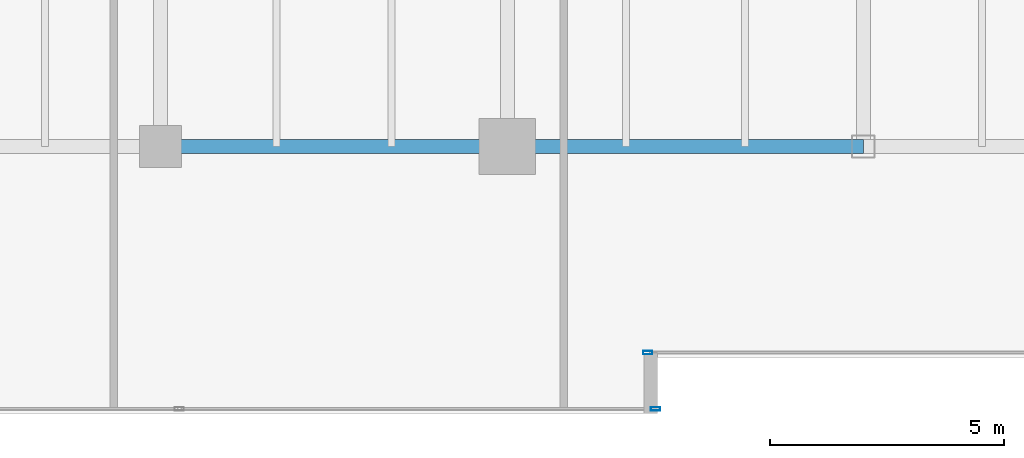
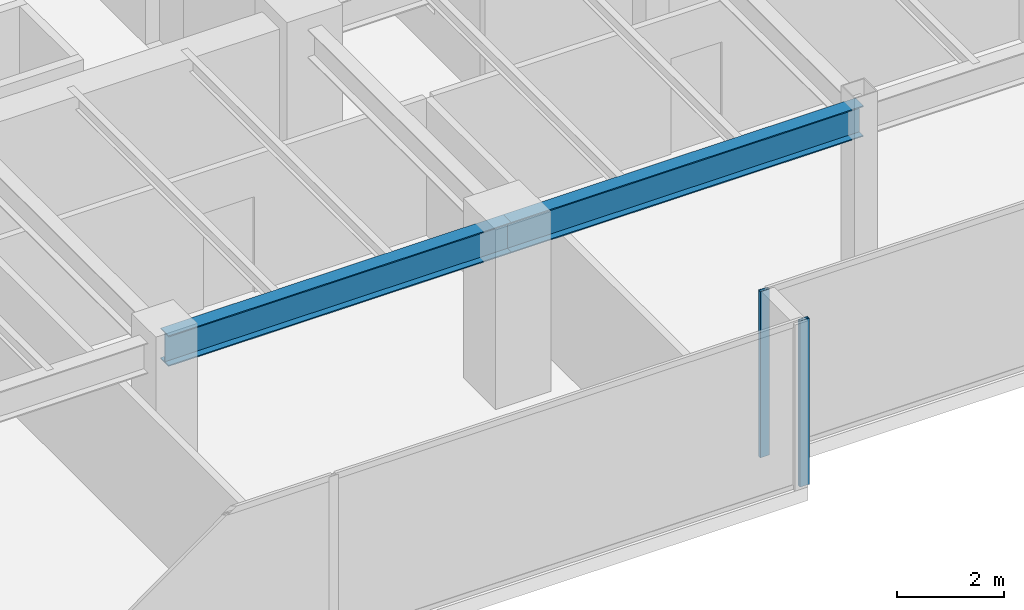
# One storey, part 4 of 30: 2 beams, 2 members, 2 elements without a shape of their own.
"""IFC4 building model written with IfcOpenShell, lengths in metres."""

from ifc_helpers import new_model, si_unit, direction, frame, origin, origin_2d, place, context, subcontext, project, spatial, hollow_rectangle, i_section, extrude, source, transform, mapped, material, layer, layer_set, material_profile, profile_set, type_object, type_shapes, element, aggregate, save


model = new_model("IFC4")

# Units and contexts
model_context = context("Model", 3, precision=1e-05, world=origin(), true_north=direction((0.0, 1.0)))
body_context = subcontext(model_context, "Body", "Model", "MODEL_VIEW")
ifc_project = project(units=[si_unit("LENGTHUNIT", "METRE"), si_unit("AREAUNIT", "SQUARE_METRE"), si_unit("VOLUMEUNIT", "CUBIC_METRE"), si_unit("PLANEANGLEUNIT", "RADIAN"), si_unit("MASSUNIT", "GRAM", prefix="KILO")], contexts=[model_context])

# Site, building, storey
site_placement = place(None, origin())
site = spatial("IfcSite", under=ifc_project, at=site_placement, CompositionType="ELEMENT")
building_placement = place(site_placement, origin())
building = spatial("IfcBuilding", under=site, at=building_placement, Name="Haelvirn Gate Laboratories", CompositionType="ELEMENT")
storey_placement = place(building_placement, frame((0.0, 0.0, 129.699951171875)))
storey = spatial("IfcBuildingStorey", under=building, at=storey_placement, Name="L31", CompositionType="ELEMENT", Elevation=129.699951171875)

# Beams
ifc_material_1 = material(Name="Steel SM355", Category="steel")
ifc_material_profile_1 = material_profile(ifc_material_1, i_section(OverallWidth=0.300048828125, OverallDepth=0.699951171875, WebThickness=0.012939453125, FlangeThickness=0.02392578125, at=origin_2d()), Name="H-700x300x13x24")
ifc_profile_set_1 = profile_set([ifc_material_profile_1], Name="Steel SM355")
beam_type = type_object("IfcBeamType", Name="BM-G-700", PredefinedType="BEAM", material=ifc_profile_set_1)
shared_shape_1 = source(origin(), body_context, "Body", "SweptSolid", [
    extrude(i_section(OverallWidth=0.300048828125, OverallDepth=0.699951171875, WebThickness=0.012939453125, FlangeThickness=0.02392578125, at=origin_2d()), origin(), (0.0, 0.0, 1.0), 7.39990234375),
])
beam_1_placement = place(storey_placement, frame((14.800048828125, 7.0, 3.43994140625), z_axis=(1.0, 0.0, 0.0), x_axis=(0.0, 1.0, 0.0)))
element("IfcBeam", 1, at=beam_1_placement, inside=storey, type_object=beam_type, Name="L31 Primary Girder Y7.0 (14.8-22.2)", PredefinedType="BEAM", context=body_context, shape_type="MappedRepresentation", body=[
    mapped(shared_shape_1, transform((0.0, 0.0, 0.0), scale=1.0)),
])
shared_shape_2 = source(origin(), body_context, "Body", "SweptSolid", [
    extrude(i_section(OverallWidth=0.300048828125, OverallDepth=0.699951171875, WebThickness=0.012939453125, FlangeThickness=0.02392578125, at=origin_2d()), origin(), (0.0, 0.0, 1.0), 7.60009765625),
])
type_shapes(beam_type, [shared_shape_1, shared_shape_2])
beam_2_placement = place(storey_placement, frame((22.199951171875, 7.0, 3.43994140625), z_axis=(1.0, 0.0, 0.0), x_axis=(0.0, 1.0, 0.0)))
element("IfcBeam", 2, at=beam_2_placement, inside=storey, type_object=beam_type, Name="L31 Primary Girder Y7.0 (22.2-29.8)", PredefinedType="BEAM", context=body_context, shape_type="MappedRepresentation", body=[
    mapped(shared_shape_2, transform((0.0, 0.0, 0.0), scale=1.0)),
])

# Curtain wall, member
ifc_material_2 = material(Name="Anodised bronze unitised aluminium & triple low-E glass", Category="aluminium")
ifc_layer = layer(ifc_material_2, 0.179931640625, Name="CW-SYS-3")
ifc_layer_set = layer_set([ifc_layer], Name="Anodised bronze unitised aluminium & triple low-E glass")
curtain_wall_type = type_object("IfcCurtainWallType", Name="CW-SYS-3", PredefinedType="NOTDEFINED", material=ifc_layer_set)
curtain_wall_1_placement = place(storey_placement, origin())
curtain_wall_1 = element("IfcCurtainWall", 3, at=curtain_wall_1_placement, inside=storey, type_object=curtain_wall_type, Name="L31 Unitised Curtain Wall CW-L31-P0-E00-1", PredefinedType="NOTDEFINED")
ifc_material_3 = material(Name="Extruded aluminium 6063-T6 (anodised bronze)", Category="aluminium")
ifc_material_profile_2 = material_profile(ifc_material_3, hollow_rectangle(XDim=0.074951171875, YDim=0.199951171875, WallThickness=0.0048828125, at=origin_2d()), Name="CWM-200x75x5")
ifc_profile_set_2 = profile_set([ifc_material_profile_2], Name="Extruded aluminium 6063-T6 (anodised bronze)")
member_type = type_object("IfcMemberType", Name="CWM-T200", PredefinedType="MULLION", material=ifc_profile_set_2)
shared_shape_3 = source(origin(), body_context, "Body", "SweptSolid", [
    extrude(hollow_rectangle(XDim=0.074951171875, YDim=0.199951171875, WallThickness=0.0048828125, at=origin_2d()), origin(), (0.0, 0.0, 1.0), 3.7900390625),
])
type_shapes(member_type, [shared_shape_3])
member_1_placement = place(storey_placement, frame((25.362548828125, 1.39990234375, 0.0), z_axis=(0.0, 0.0, 1.0), x_axis=(0.0, 1.0, 0.0)))
member_1 = element("IfcMember", 4, at=member_1_placement, type_object=member_type, Name="CW3 mullion 3", PredefinedType="MULLION", context=body_context, shape_type="MappedRepresentation", body=[
    mapped(shared_shape_3, transform((0.0, 0.0, 0.0), scale=1.0)),
])
aggregate(curtain_wall_1, [member_1])

curtain_wall_2_placement = place(storey_placement, origin())
curtain_wall_2 = element("IfcCurtainWall", 5, at=curtain_wall_2_placement, inside=storey, type_object=curtain_wall_type, Name="L31 Unitised Curtain Wall CW-L31-P0-E02-1", PredefinedType="NOTDEFINED")
member_2_placement = place(storey_placement, frame((25.197509765625, 2.60009765625, 0.0), z_axis=(0.0, 0.0, 1.0), x_axis=(0.0, 1.0, 0.0)))
member_2 = element("IfcMember", 6, at=member_2_placement, type_object=member_type, Name="CW3 mullion 1", PredefinedType="MULLION", context=body_context, shape_type="MappedRepresentation", body=[
    mapped(shared_shape_3, transform((0.0, 0.0, 0.0), scale=1.0)),
])
aggregate(curtain_wall_2, [member_2])

save(model, "model.ifc")
